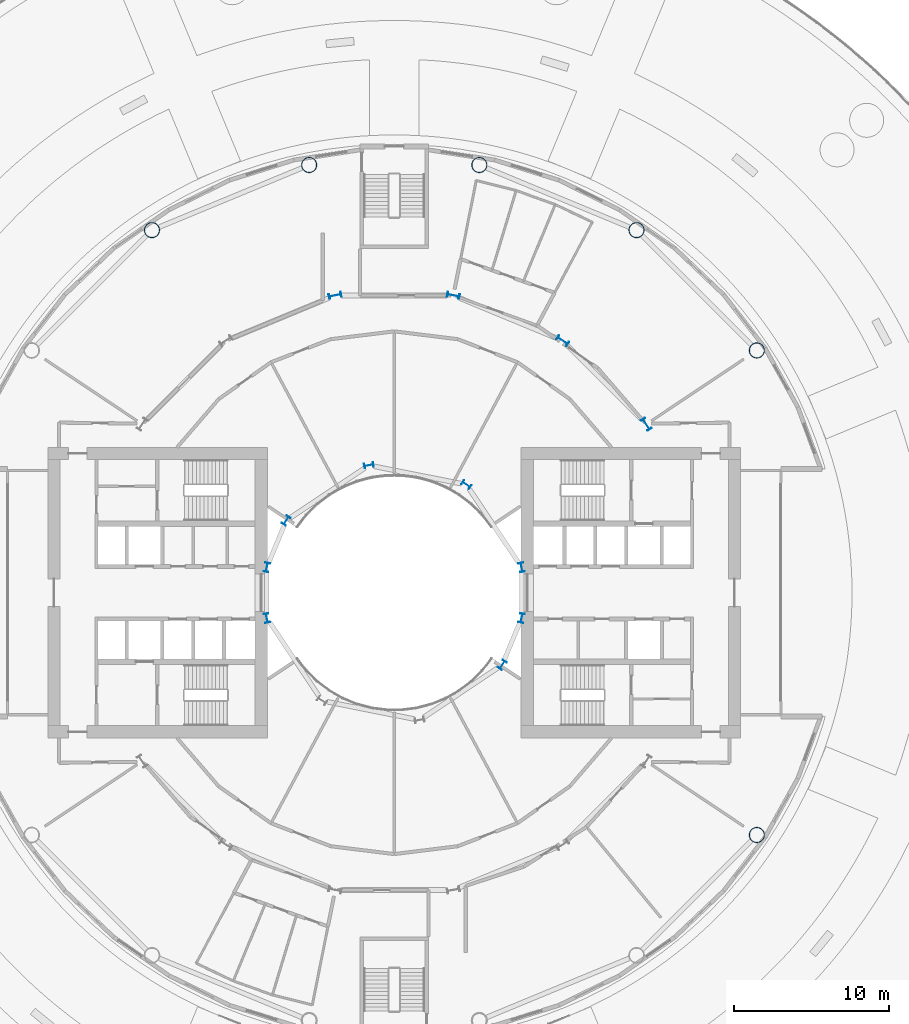
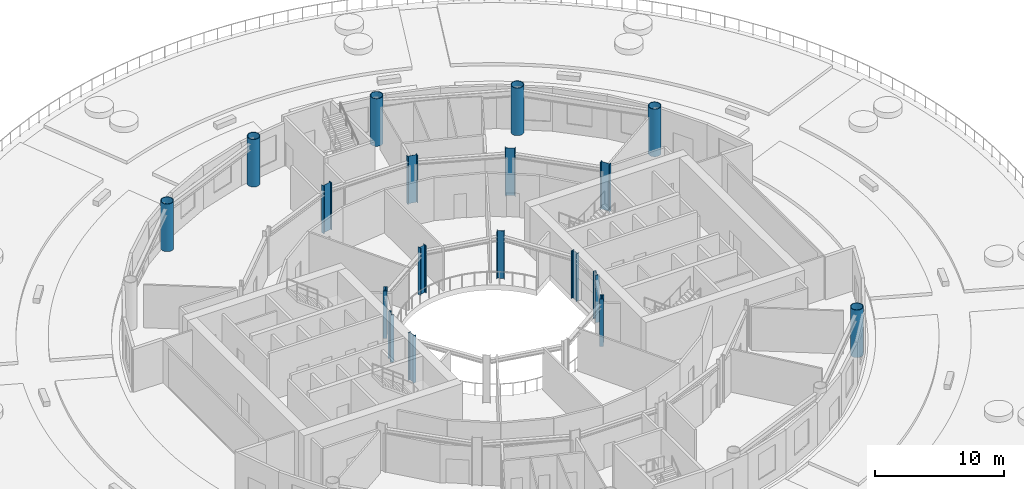
# One storey, part 2 of 19: 18 columns.
"""IFC4 building model written with IfcOpenShell, lengths in metres."""

from ifc_helpers import new_model, si_unit, direction, frame, origin, origin_2d, place, context, subcontext, project, spatial, hollow_circle, i_section, extrude, material, material_profile, profile_set, type_object, element, save


model = new_model("IFC4")

# Units and contexts
model_context = context("Model", 3, precision=1e-05, world=origin(), true_north=direction((0.0, 1.0)))
body_context = subcontext(model_context, "Body", "Model", "MODEL_VIEW")
ifc_project = project(units=[si_unit("LENGTHUNIT", "METRE"), si_unit("AREAUNIT", "SQUARE_METRE"), si_unit("VOLUMEUNIT", "CUBIC_METRE"), si_unit("PLANEANGLEUNIT", "RADIAN"), si_unit("MASSUNIT", "GRAM", prefix="KILO")], contexts=[model_context])

# Site, building, storey
site_placement = place(None, origin())
site = spatial("IfcSite", under=ifc_project, at=site_placement, CompositionType="ELEMENT")
building_placement = place(site_placement, origin())
building = spatial("IfcBuilding", under=site, at=building_placement, Name="Maasbend Ring Residences", CompositionType="ELEMENT")
storey_placement = place(building_placement, frame((0.0, 0.0, 9.60009765625)))
storey = spatial("IfcBuildingStorey", under=building, at=storey_placement, Name="L02", CompositionType="ELEMENT", Elevation=9.60009765625)

# Columns
ifc_material_1 = material(Name="Composite concrete-filled steel tube S460NH / C80/95", Category="concrete")
ifc_material_profile_1 = material_profile(ifc_material_1, hollow_circle(Radius=0.508056640625, WallThickness=0.050048828125, at=origin_2d()), Name="Composite tube column CHS 1016x50")
ifc_profile_set_1 = profile_set([ifc_material_profile_1], Name="Composite concrete-filled steel tube S460NH / C80/95")
column_type_1 = type_object("IfcColumnType", Name="Composite tube column CHS 1016x50", PredefinedType="COLUMN", material=ifc_profile_set_1)
for number, where, z_axis, x_axis, name in (
    (1, (23.447509765625, 15.6669921875, 0.0), (0.0, 0.0, 1.0), (1.0, 0.0, 0.0), "Outer column R2"),
    (2, (15.6669921875, 23.447509765625, 0.0), (0.0, 0.0, 1.0), (1.0, 0.0, 0.0), "Outer column R3"),
    (3, (5.50146484375, 27.658203125, 0.0), (0.0, 0.0, 1.0), (1.0, 0.0, 0.0), "Outer column R4"),
    (4, (-5.50146484375, 27.658203125, 0.0), (0.0, 0.0, 1.0), (1.0, 0.0, 0.0), "Outer column R5"),
    (5, (-15.6669921875, 23.447509765625, 0.0), (0.0, 0.0, 1.0), (1.0, 0.0, 0.0), "Outer column R6"),
    (6, (23.447509765625, -15.6669921875, 0.0), (0.0, 0.0, 1.0), (1.0, 0.0, 0.0), "Outer column R15"),
):
    element("IfcColumn", number, at=place(storey_placement, frame(where, z_axis=z_axis, x_axis=x_axis)), inside=storey, type_object=column_type_1, Name=name, PredefinedType="COLUMN", context=body_context, shape_type="SweptSolid", body=[
        extrude(hollow_circle(Radius=0.508056640625, WallThickness=0.050048828125, at=origin_2d()), origin(), (0.0, 0.0, 1.0), 4.5),
    ])
ifc_material_2 = material(Name="Steel S460M", Category="steel")
ifc_material_profile_2 = material_profile(ifc_material_2, i_section(OverallWidth=0.300048828125, OverallDepth=0.60009765625, WebThickness=0.015380859375, FlangeThickness=0.030029296875, FilletRadius=0.027099609375, at=origin_2d()), Name="HEB 600")
ifc_profile_set_2 = profile_set([ifc_material_profile_2], Name="Steel S460M")
column_type_2 = type_object("IfcColumnType", Name="Steel column HEB 600", PredefinedType="COLUMN", material=ifc_profile_set_2)
for number, where, z_axis, x_axis, name in (
    (7, (8.238525390625, 1.638916015625, 0.0), (0.0, 0.0, 1.0), (0.980785280403, 0.195090322016, 0.0), "Well ring column R1"),
    (8, (4.666748046875, 6.984375, 0.0), (0.0, 0.0, 1.0), (0.55557023302, 0.831469612303, 0.0), "Well ring column R3"),
    (9, (-1.638916015625, 8.238525390625, 0.0), (0.0, 0.0, 1.0), (-0.195090322016, 0.980785280403, 0.0), "Well ring column R5"),
    (10, (-6.984375, 4.666748046875, 0.0), (0.0, 0.0, 1.0), (-0.831469612303, 0.55557023302, 0.0), "Well ring column R7"),
    (11, (-8.238525390625, 1.638916015625, 0.0), (0.0, 0.0, 1.0), (-0.980785280403, 0.195090322016, 0.0), "Well ring column R8"),
    (12, (-8.238525390625, -1.638916015625, 0.0), (0.0, 0.0, 1.0), (-0.980785280403, -0.195090322016, 0.0), "Well ring column R9"),
    (13, (6.984375, -4.666748046875, 0.0), (0.0, 0.0, 1.0), (0.831469612303, -0.55557023302, 0.0), "Well ring column R15"),
    (14, (8.238525390625, -1.638916015625, 0.0), (0.0, 0.0, 1.0), (0.980785280403, -0.195090322016, 0.0), "Well ring column R16"),
):
    element("IfcColumn", number, at=place(storey_placement, frame(where, z_axis=z_axis, x_axis=x_axis)), inside=storey, type_object=column_type_2, Name=name, PredefinedType="COLUMN", context=body_context, shape_type="SweptSolid", body=[
        extrude(i_section(OverallWidth=0.300048828125, OverallDepth=0.60009765625, WebThickness=0.015380859375, FlangeThickness=0.030029296875, FilletRadius=0.027099609375, at=origin_2d()), origin(), (0.0, 0.0, 1.0), 4.5),
    ])
ifc_material_3 = material(Name="Steel S460M", Category="steel")
ifc_material_profile_3 = material_profile(ifc_material_3, i_section(OverallWidth=0.302978515625, OverallDepth=0.81396484375, WebThickness=0.02099609375, FlangeThickness=0.0400390625, FilletRadius=0.030029296875, at=origin_2d()), Name="HEM 800")
ifc_profile_set_3 = profile_set([ifc_material_profile_3], Name="Steel S460M")
column_type_3 = type_object("IfcColumnType", Name="Steel column HEM 800", PredefinedType="COLUMN", material=ifc_profile_set_3)
for number, where, z_axis, x_axis, name in (
    (15, (16.296875, 10.88916015625, 0.0), (0.0, 0.0, 1.0), (0.831469612303, 0.55557023302, 0.0), "Corridor ring column R2"),
    (16, (10.88916015625, 16.296875, 0.0), (0.0, 0.0, 1.0), (0.55557023302, 0.831469612303, 0.0), "Corridor ring column R3"),
    (17, (3.82373046875, 19.223388671875, 0.0), (0.0, 0.0, 1.0), (0.195090322016, 0.980785280403, 0.0), "Corridor ring column R4"),
    (18, (-3.82373046875, 19.223388671875, 0.0), (0.0, 0.0, 1.0), (-0.195090322016, 0.980785280403, 0.0), "Corridor ring column R5"),
):
    element("IfcColumn", number, at=place(storey_placement, frame(where, z_axis=z_axis, x_axis=x_axis)), inside=storey, type_object=column_type_3, Name=name, PredefinedType="COLUMN", context=body_context, shape_type="SweptSolid", body=[
        extrude(i_section(OverallWidth=0.302978515625, OverallDepth=0.81396484375, WebThickness=0.02099609375, FlangeThickness=0.0400390625, FilletRadius=0.030029296875, at=origin_2d()), origin(), (0.0, 0.0, 1.0), 4.5),
    ])

save(model, "model.ifc")
